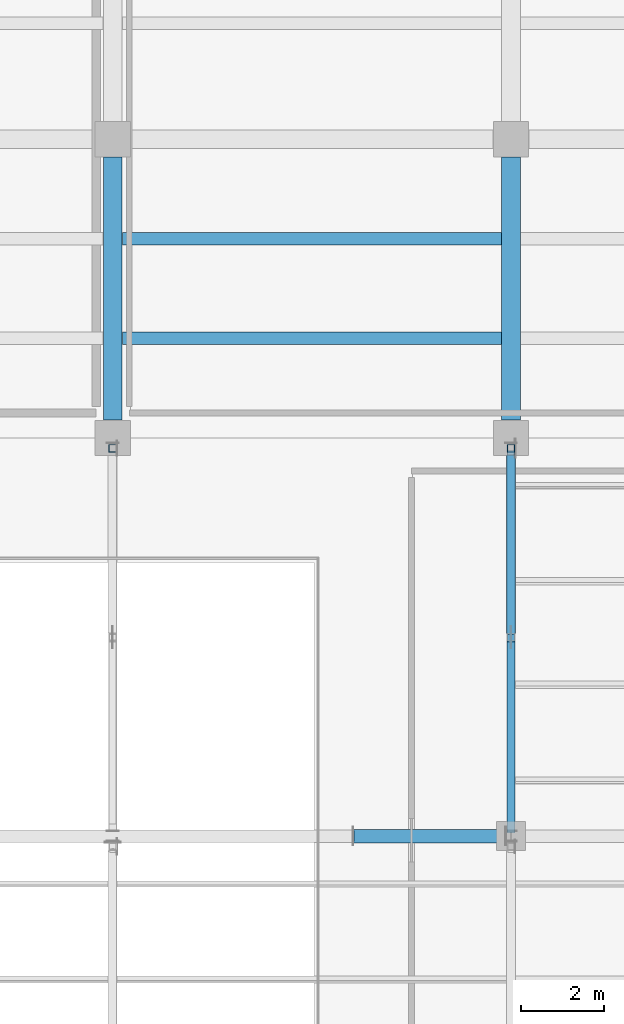
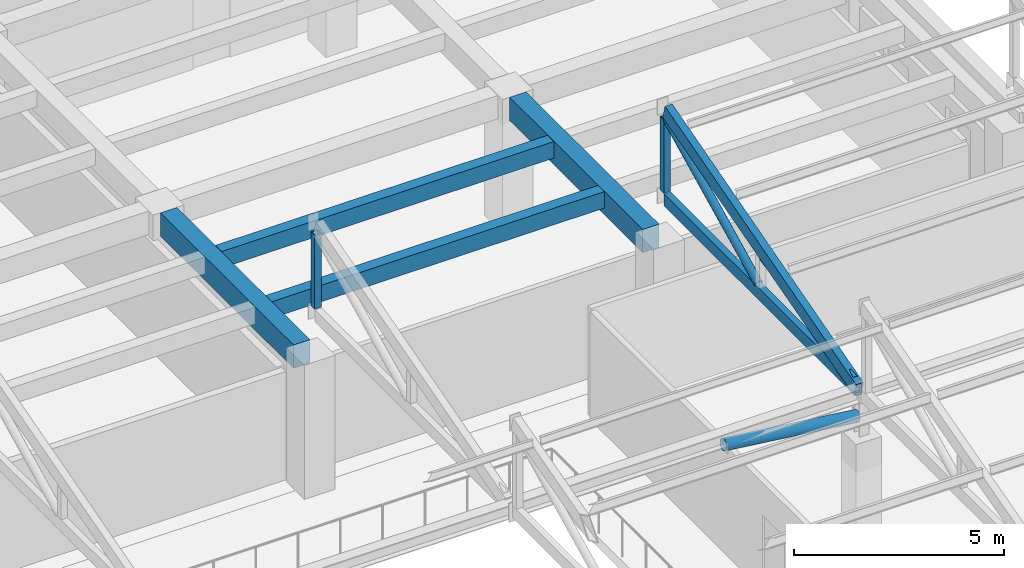
# One storey, part 23 of 58: 7 members, 4 beams.
"""IFC4 building model written with IfcOpenShell, lengths in metres."""

from ifc_helpers import new_model, si_unit, direction, frame, origin, origin_2d, place, context, subcontext, project, spatial, rectangle, hollow_rectangle, hollow_circle, extrude, material, material_profile, profile_set, type_object, element, save


model = new_model("IFC4")

# Units and contexts
model_context = context("Model", 3, precision=1e-05, world=origin(), true_north=direction((0.0, 1.0)))
body_context = subcontext(model_context, "Body", "Model", "MODEL_VIEW")
ifc_project = project(units=[si_unit("LENGTHUNIT", "METRE"), si_unit("AREAUNIT", "SQUARE_METRE"), si_unit("VOLUMEUNIT", "CUBIC_METRE"), si_unit("PLANEANGLEUNIT", "RADIAN"), si_unit("MASSUNIT", "GRAM", prefix="KILO")], contexts=[model_context])

# Site, building, storey
site_placement = place(None, origin())
site = spatial("IfcSite", under=ifc_project, at=site_placement, CompositionType="ELEMENT")
building_placement = place(site_placement, origin())
building = spatial("IfcBuilding", under=site, at=building_placement, Name="Bempovik Park Faculty of Sciences", CompositionType="ELEMENT")
storey_placement = place(building_placement, frame((0.0, 0.0, 18.300048828125)))
storey = spatial("IfcBuildingStorey", under=building, at=storey_placement, Name="L04", CompositionType="ELEMENT", Elevation=18.300048828125)

# Beams
ifc_material_1 = material(Name="Concrete C35/45", Category="concrete")
ifc_material_profile_1 = material_profile(ifc_material_1, rectangle(XDim=0.300048828125, YDim=0.47998046875, at=origin_2d()), Name="RC 300x480")
ifc_profile_set_1 = profile_set([ifc_material_profile_1], Name="Concrete C35/45")
beam_type_1 = type_object("IfcBeamType", Name="B-039 RC 300x480", PredefinedType="JOIST", material=ifc_profile_set_1)
for number, where, z_axis, x_axis, name in (
    (1, (98.631103515625, 89.39990234375, 3.659912109375), (1.0, 0.0, 0.0), (0.0, 1.0, 0.0), "L04 Secondary Joist (98.4-108.0, y=89.40)"),
    (2, (98.631103515625, 91.800048828125, 3.659912109375), (1.0, 0.0, 0.0), (0.0, 1.0, 0.0), "L04 Secondary Joist (98.4-108.0, y=91.80)"),
):
    element("IfcBeam", number, at=place(storey_placement, frame(where, z_axis=z_axis, x_axis=x_axis)), inside=storey, type_object=beam_type_1, Name=name, PredefinedType="JOIST", context=body_context, shape_type="SweptSolid", body=[
        extrude(rectangle(XDim=0.300048828125, YDim=0.47998046875, at=origin_2d()), origin(), (0.0, 0.0, 1.0), 9.137939453125),
    ])
ifc_material_profile_2 = material_profile(ifc_material_1, rectangle(XDim=0.449951171875, YDim=0.679931640625, at=origin_2d()), Name="RC 450x680")
ifc_profile_set_2 = profile_set([ifc_material_profile_2], Name="Concrete C35/45")
beam_type_2 = type_object("IfcBeamType", Name="B-113 RC 450x680", PredefinedType="BEAM", material=ifc_profile_set_2)
for number, where, z_axis, x_axis, name in (
    (3, (98.39990234375, 87.430908203125, 3.56005859375), (0.0, 1.0, 0.0), (-1.0, 0.0, 0.0), "L04 Beam Y (x=98.4, 87.0-94.2)"),
    (4, (108.0, 87.430908203125, 3.56005859375), (0.0, 1.0, 0.0), (-1.0, 0.0, 0.0), "L04 Beam Y (x=108.0, 87.0-94.2)"),
):
    element("IfcBeam", number, at=place(storey_placement, frame(where, z_axis=z_axis, x_axis=x_axis)), inside=storey, type_object=beam_type_2, Name=name, PredefinedType="BEAM", context=body_context, shape_type="SweptSolid", body=[
        extrude(rectangle(XDim=0.449951171875, YDim=0.679931640625, at=origin_2d()), origin(), (0.0, 0.0, 1.0), 6.338134765625),
    ])

# Members
ifc_material_2 = material(Name="Steel S355", Category="steel")
ifc_material_profile_3 = material_profile(ifc_material_2, hollow_rectangle(XDim=0.175048828125, YDim=0.35009765625, WallThickness=0.012451171875, at=origin_2d()), Name="RHS 350x175x12.5")
ifc_profile_set_3 = profile_set([ifc_material_profile_3], Name="Steel S355")
member_type_1 = type_object("IfcMemberType", Name="M-15 RHS 350x175x12.5", PredefinedType="CHORD", material=ifc_profile_set_3)
member_1_placement = place(storey_placement, frame((108.0, 77.535888671875, 5.179931640625), z_axis=(0.0, 1.0, 0.0), x_axis=(-1.0, 0.0, 0.0)))
element("IfcMember", 5, at=member_1_placement, inside=storey, type_object=member_type_1, Name="Sawtooth Bottom Chord V2-B2 (108.0)", PredefinedType="CHORD", context=body_context, shape_type="SweptSolid", body=[
    extrude(hollow_rectangle(XDim=0.175048828125, YDim=0.35009765625, WallThickness=0.012451171875, at=origin_2d()), origin(), (0.0, 0.0, 1.0), 9.108154296875),
])
ifc_material_profile_4 = material_profile(ifc_material_2, hollow_circle(Radius=0.109619140625, WallThickness=0.010009765625, at=origin_2d()), Name="CHS 219.1x10")
ifc_profile_set_4 = profile_set([ifc_material_profile_4], Name="Steel S355")
member_type_2 = type_object("IfcMemberType", Name="M-22 CHS 219.1x10", PredefinedType="BRACE", material=ifc_profile_set_4)
member_2_placement = place(storey_placement, frame((108.0, 82.304931640625, 5.36083984375), z_axis=(0.0, 0.896782958268, 0.442470706105), x_axis=(-1.0, 0.0, 0.0)))
element("IfcMember", 6, at=member_2_placement, inside=storey, type_object=member_type_2, Name="Sawtooth Web Diagonal 2 V2-B2 (108.0)", PredefinedType="BRACE", context=body_context, shape_type="SweptSolid", body=[
    extrude(hollow_circle(Radius=0.109619140625, WallThickness=0.010009765625, at=origin_2d()), origin(), (0.0, 0.0, 1.0), 4.844970703125),
])
ifc_material_profile_5 = material_profile(ifc_material_2, hollow_circle(Radius=0.161865234375, WallThickness=0.01611328125, at=origin_2d()), Name="CHS 323.9x16")
ifc_profile_set_5 = profile_set([ifc_material_profile_5], Name="Steel S355")
member_type_3 = type_object("IfcMemberType", Name="M-38 CHS 323.9x16", PredefinedType="BRACE", material=ifc_profile_set_5)
member_3_placement = place(storey_placement, frame((107.8701171875, 77.39990234375, 4.530029296875), z_axis=(-0.992496719288, 0.0, 0.122271264826), x_axis=(0.0, -1.0, 0.0)))
element("IfcMember", 7, at=member_3_placement, inside=storey, type_object=member_type_3, Name="Atrium Clear-Span Truss Diagonal 108.0", PredefinedType="BRACE", context=body_context, shape_type="SweptSolid", body=[
    extrude(hollow_circle(Radius=0.161865234375, WallThickness=0.01611328125, at=origin_2d()), origin(), (0.0, 0.0, 1.0), 3.697998046875),
])
ifc_material_profile_6 = material_profile(ifc_material_2, hollow_rectangle(XDim=0.179931640625, YDim=0.179931640625, WallThickness=0.008056640625, at=origin_2d()), Name="SHS 180x180x8")
ifc_profile_set_6 = profile_set([ifc_material_profile_6], Name="Steel S355")
member_type_4 = type_object("IfcMemberType", Name="M-40 SHS 180x180x8", PredefinedType="POST", material=ifc_profile_set_6)
for number, where, z_axis, x_axis, name in (
    (8, (98.39990234375, 86.75, 5.36083984375), (0.0, 0.0, 1.0), (1.0, 0.0, 0.0), "Sawtooth North-Light Post V2-B2 (98.4)"),
    (9, (108.0, 86.75, 5.36083984375), (0.0, 0.0, 1.0), (1.0, 0.0, 0.0), "Sawtooth North-Light Post V2-B2 (108.0)"),
):
    element("IfcMember", number, at=place(storey_placement, frame(where, z_axis=z_axis, x_axis=x_axis)), inside=storey, type_object=member_type_4, Name=name, PredefinedType="POST", context=body_context, shape_type="SweptSolid", body=[
        extrude(hollow_rectangle(XDim=0.179931640625, YDim=0.179931640625, WallThickness=0.008056640625, at=origin_2d()), origin(), (0.0, 0.0, 1.0), 2.143798828125),
    ])
ifc_material_profile_7 = material_profile(ifc_material_2, hollow_rectangle(XDim=0.199951171875, YDim=0.39990234375, WallThickness=0.01611328125, at=origin_2d()), Name="RHS 400x200x16")
ifc_profile_set_7 = profile_set([ifc_material_profile_7], Name="Steel S355")
member_type_5 = type_object("IfcMemberType", Name="M-53 RHS 400x200x16", PredefinedType="CHORD", material=ifc_profile_set_7)
member_4_placement = place(storey_placement, frame((108.0, 77.535888671875, 5.182373046875), z_axis=(0.0, 0.962358551533, 0.271783035327), x_axis=(-1.0, 0.0, 0.0)))
element("IfcMember", 10, at=member_4_placement, inside=storey, type_object=member_type_5, Name="Sawtooth Top Rafter Chord V2-B2 (108.0)", PredefinedType="CHORD", context=body_context, shape_type="SweptSolid", body=[
    extrude(hollow_rectangle(XDim=0.199951171875, YDim=0.39990234375, WallThickness=0.01611328125, at=origin_2d()), origin(), (0.0, 0.0, 1.0), 9.46435546875),
])
ifc_material_profile_8 = material_profile(ifc_material_2, hollow_circle(Radius=0.096923828125, WallThickness=0.008056640625, at=origin_2d()), Name="CHS 193.7x8")
ifc_profile_set_8 = profile_set([ifc_material_profile_8], Name="Steel S355")
member_type_6 = type_object("IfcMemberType", Name="M-74 CHS 193.7x8", PredefinedType="BRACE", material=ifc_profile_set_8)
member_5_placement = place(storey_placement, frame((108.0, 77.7099609375, 5.36083984375), z_axis=(0.0, 0.980118341504, 0.198413801554), x_axis=(-1.0, 0.0, 0.0)))
element("IfcMember", 11, at=member_5_placement, inside=storey, type_object=member_type_6, Name="Sawtooth Web Diagonal 1 V2-B2 (108.0)", PredefinedType="BRACE", context=body_context, shape_type="SweptSolid", body=[
    extrude(hollow_circle(Radius=0.096923828125, WallThickness=0.008056640625, at=origin_2d()), origin(), (0.0, 0.0, 1.0), 4.473876953125),
])

save(model, "model.ifc")
